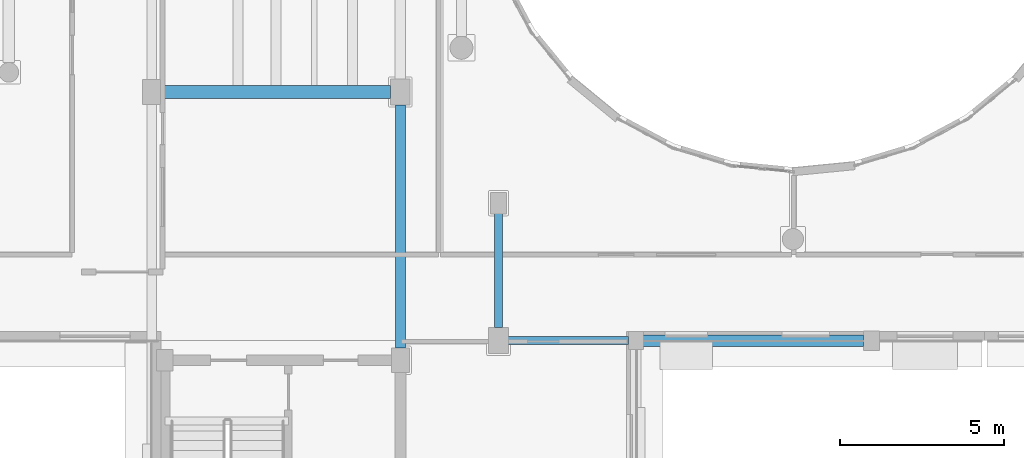
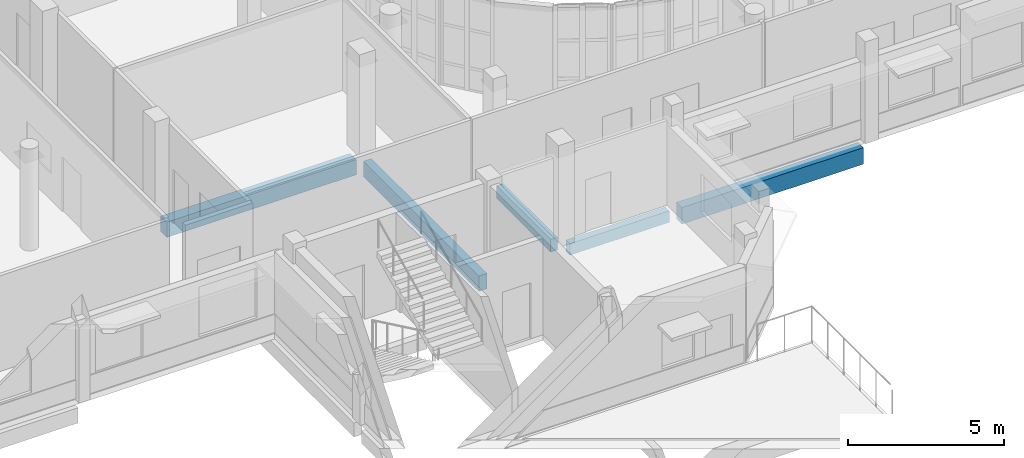
# One storey, part 25 of 89: 5 beams.
"""IFC4 building model written with IfcOpenShell, lengths in metres."""

from ifc_helpers import new_model, si_unit, direction, frame, origin, origin_2d, place, context, subcontext, project, spatial, rectangle, extrude, material, material_profile, profile_set, type_object, element, save


model = new_model("IFC4")

# Units and contexts
model_context = context("Model", 3, precision=1e-05, world=origin(), true_north=direction((0.0, 1.0)))
body_context = subcontext(model_context, "Body", "Model", "MODEL_VIEW")
ifc_project = project(units=[si_unit("LENGTHUNIT", "METRE"), si_unit("AREAUNIT", "SQUARE_METRE"), si_unit("VOLUMEUNIT", "CUBIC_METRE"), si_unit("PLANEANGLEUNIT", "RADIAN"), si_unit("MASSUNIT", "GRAM", prefix="KILO")], contexts=[model_context])

# Site, building, storey
site_placement = place(None, origin())
site = spatial("IfcSite", under=ifc_project, at=site_placement, CompositionType="ELEMENT")
building_placement = place(site_placement, origin())
building = spatial("IfcBuilding", under=site, at=building_placement, Name="Kelanivale Promenade Academy", CompositionType="ELEMENT")
storey_placement = place(building_placement, frame((0.0, 0.0, 12.199951171875)))
storey = spatial("IfcBuildingStorey", under=building, at=storey_placement, Name="L03", CompositionType="ELEMENT", Elevation=12.199951171875)

# Beams
ifc_material = material(Name="Concrete C35/45", Category="concrete")
ifc_material_profile_1 = material_profile(ifc_material, rectangle(XDim=0.35009765625, YDim=0.64990234375, at=origin_2d()), Name="RC-BM 350x650")
ifc_profile_set_1 = profile_set([ifc_material_profile_1], Name="Concrete C35/45")
beam_type_1 = type_object("IfcBeamType", Name="BM-10 RC-BM 350x650", PredefinedType="BEAM", material=ifc_profile_set_1)
beam_1_placement = place(storey_placement, frame((94.219970703125, 42.0, -0.544921875), z_axis=(1.0, 0.0, 0.0), x_axis=(0.0, 1.0, 0.0)))
element("IfcBeam", 1, at=beam_1_placement, inside=storey, type_object=beam_type_1, Name="L03 girder BM-10", PredefinedType="BEAM", context=body_context, shape_type="SweptSolid", body=[
    extrude(rectangle(XDim=0.35009765625, YDim=0.64990234375, at=origin_2d()), origin(), (0.0, 0.0, 1.0), 6.735107421875),
])
ifc_material_profile_2 = material_profile(ifc_material, rectangle(XDim=0.39990234375, YDim=0.60009765625, at=origin_2d()), Name="RC-BM 400x600")
ifc_profile_set_2 = profile_set([ifc_material_profile_2], Name="Concrete C35/45")
beam_type_2 = type_object("IfcBeamType", Name="BM-12 RC-BM 400x600", PredefinedType="BEAM", material=ifc_profile_set_2)
beam_2_placement = place(storey_placement, frame((79.469970703125, 49.60009765625, -0.52001953125), z_axis=(1.0, 0.0, 0.0), x_axis=(0.0, 1.0, 0.0)))
element("IfcBeam", 2, at=beam_2_placement, inside=storey, type_object=beam_type_2, Name="L03 girder BM-12", PredefinedType="BEAM", context=body_context, shape_type="SweptSolid", body=[
    extrude(rectangle(XDim=0.39990234375, YDim=0.60009765625, at=origin_2d()), origin(), (0.0, 0.0, 1.0), 7.034912109375),
])
ifc_material_profile_3 = material_profile(ifc_material, rectangle(XDim=0.300048828125, YDim=0.60009765625, at=origin_2d()), Name="RC-BM 300x600")
ifc_profile_set_3 = profile_set([ifc_material_profile_3], Name="Concrete C35/45")
beam_type_3 = type_object("IfcBeamType", Name="JS-03 RC-BM 300x600", PredefinedType="JOIST", material=ifc_profile_set_3)
beam_3_placement = place(storey_placement, frame((86.800048828125, 41.77001953125, -0.52001953125), z_axis=(0.0, 1.0, 0.0), x_axis=(-1.0, 0.0, 0.0)))
element("IfcBeam", 3, at=beam_3_placement, inside=storey, type_object=beam_type_3, Name="L03 beam JS-03", PredefinedType="JOIST", context=body_context, shape_type="SweptSolid", body=[
    extrude(rectangle(XDim=0.300048828125, YDim=0.60009765625, at=origin_2d()), origin(), (0.0, 0.0, 1.0), 7.43505859375),
])
ifc_material_profile_4 = material_profile(ifc_material, rectangle(XDim=0.25, YDim=0.449951171875, at=origin_2d()), Name="RC-BM 250x450")
ifc_profile_set_4 = profile_set([ifc_material_profile_4], Name="Concrete C35/45")
beam_type_4 = type_object("IfcBeamType", Name="LN-01 RC-BM 250x450", PredefinedType="LINTEL", material=ifc_profile_set_4)
beam_4_placement = place(storey_placement, frame((90.094970703125, 42.0, -0.445068359375), z_axis=(1.0, 0.0, 0.0), x_axis=(0.0, 1.0, 0.0)))
element("IfcBeam", 4, at=beam_4_placement, inside=storey, type_object=beam_type_4, Name="L03 girder LN-01", PredefinedType="LINTEL", context=body_context, shape_type="SweptSolid", body=[
    extrude(rectangle(XDim=0.25, YDim=0.449951171875, at=origin_2d()), origin(), (0.0, 0.0, 1.0), 3.68505859375),
])
ifc_material_profile_5 = material_profile(ifc_material, rectangle(XDim=0.25, YDim=0.5, at=origin_2d()), Name="RC-BM 250x500")
ifc_profile_set_5 = profile_set([ifc_material_profile_5], Name="Concrete C35/45")
beam_type_5 = type_object("IfcBeamType", Name="LN-02 RC-BM 250x500", PredefinedType="LINTEL", material=ifc_profile_set_5)
beam_5_placement = place(storey_placement, frame((89.800048828125, 42.39501953125, -0.469970703125), z_axis=(0.0, 1.0, 0.0), x_axis=(-1.0, 0.0, 0.0)))
element("IfcBeam", 5, at=beam_5_placement, inside=storey, type_object=beam_type_5, Name="L03 beam LN-02", PredefinedType="LINTEL", context=body_context, shape_type="SweptSolid", body=[
    extrude(rectangle(XDim=0.25, YDim=0.5, at=origin_2d()), origin(), (0.0, 0.0, 1.0), 3.48486328125),
])

save(model, "model.ifc")
